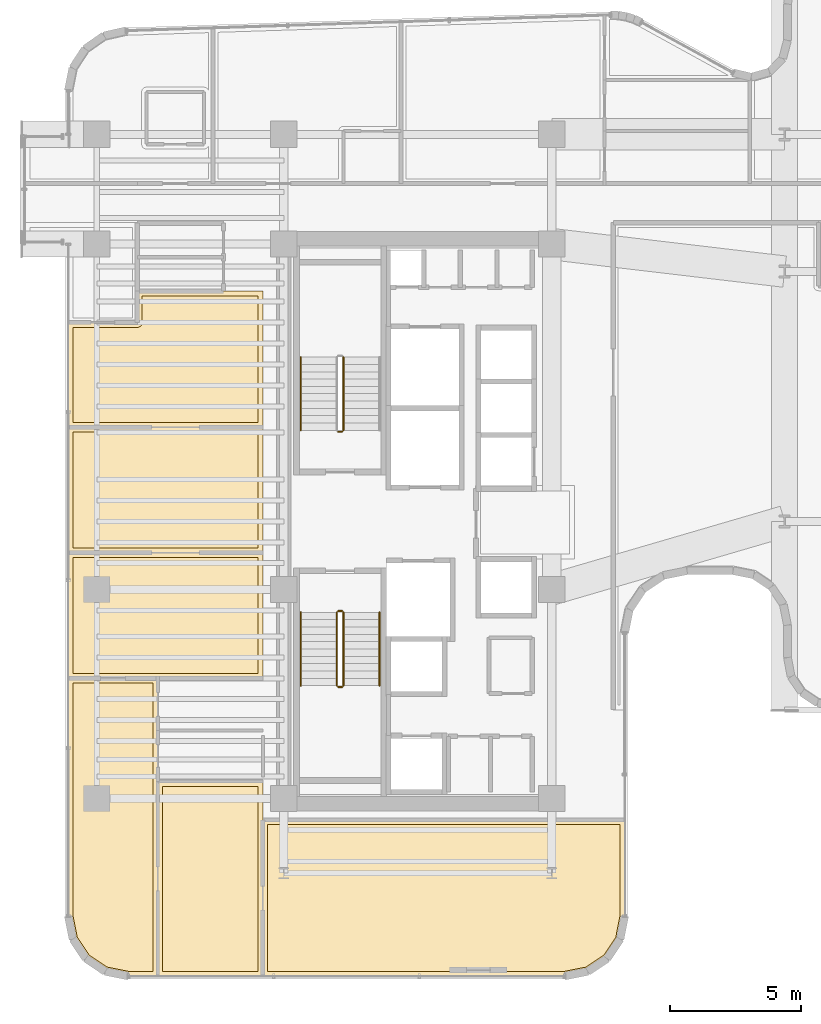
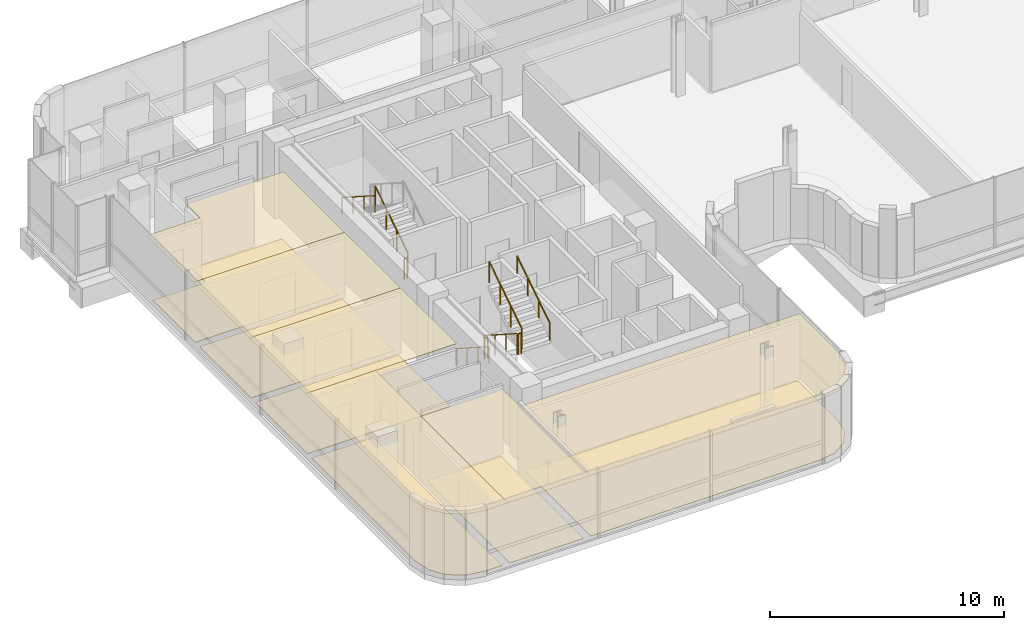
# One storey, part 33 of 39: 12 coverings, 9 railings.
"""IFC4 building model written with IfcOpenShell, lengths in metres."""

from ifc_helpers import new_model, si_unit, direction, frame, origin, origin_2d, place, context, subcontext, project, spatial, polyline, circle, outline, extrude, material, layer, layer_set, type_object, element, save


model = new_model("IFC4")

# Units and contexts
model_context = context("Model", 3, precision=1e-05, world=origin(), true_north=direction((0.0, 1.0)))
body_context = subcontext(model_context, "Body", "Model", "MODEL_VIEW")
ifc_project = project(units=[si_unit("LENGTHUNIT", "METRE"), si_unit("AREAUNIT", "SQUARE_METRE"), si_unit("VOLUMEUNIT", "CUBIC_METRE"), si_unit("PLANEANGLEUNIT", "RADIAN"), si_unit("MASSUNIT", "GRAM", prefix="KILO")], contexts=[model_context])

# Site, building, storey
site_placement = place(None, origin())
site = spatial("IfcSite", under=ifc_project, at=site_placement, CompositionType="ELEMENT")
building_placement = place(site_placement, origin())
building = spatial("IfcBuilding", under=site, at=building_placement, Name="Valdorenza Pilgrim Sanctuary Tower", CompositionType="ELEMENT")
storey_placement = place(building_placement, frame((0.0, 0.0, 184.449951171875)))
storey = spatial("IfcBuildingStorey", under=building, at=storey_placement, Name="L47", CompositionType="ELEMENT", Elevation=184.449951171875)

# Coverings
ifc_material_1 = material(Name="Micro-perforated acoustic mineral ceiling tile", Category="gypsum")
ifc_layer_1 = layer(ifc_material_1, 0.02490234375, Name="Micro-perforated acoustic mineral ceiling tile")
ifc_layer_set_1 = layer_set([ifc_layer_1], Name="Micro-perforated acoustic mineral ceiling tile")
covering_type_1 = type_object("IfcCoveringType", Name="COV-CLG-ACU", PredefinedType="CEILING", material=ifc_layer_set_1)
covering_1_placement = place(storey_placement, frame((0.0, 0.0, 3.330078125)))
element("IfcCovering", 1, at=covering_1_placement, inside=storey, type_object=covering_type_1, Name="L47 Sanctuary Apartment L47-CS1 Bedroom Acoustic Ceiling", PredefinedType="CEILING", context=body_context, shape_type="SweptSolid", body=[
    extrude(outline(polyline([(-27.482666015625, -9.949951171875), (-27.482421875, -9.948486328125), (-27.482421875, -9.947021484375), (-27.48193359375, -9.945556640625), (-27.4814453125, -9.9443359375), (-27.480712890625, -9.94287109375), (-27.47998046875, -9.941650390625), (-27.479248046875, -9.9404296875), (-27.478271484375, -9.939453125), (-27.47705078125, -9.9384765625), (-27.475830078125, -9.9375), (-27.474609375, -9.936767578125), (-27.473388671875, -9.93603515625), (-27.471923828125, -9.935546875), (-27.470458984375, -9.935302734375), (-27.468994140625, -9.93505859375), (-27.467529296875, -9.93505859375), (-23.449951171875, -9.93505859375), (-23.448486328125, -9.93505859375), (-23.447021484375, -9.935302734375), (-23.445556640625, -9.935546875), (-23.4443359375, -9.93603515625), (-23.44287109375, -9.936767578125), (-23.441650390625, -9.9375), (-23.4404296875, -9.9384765625), (-23.439453125, -9.939453125), (-23.4384765625, -9.9404296875), (-23.4375, -9.941650390625), (-23.436767578125, -9.94287109375), (-23.43603515625, -9.9443359375), (-23.435546875, -9.945556640625), (-23.435302734375, -9.947021484375), (-23.43505859375, -9.948486328125), (-23.43505859375, -9.949951171875), (-23.43505859375, -17.389892578125), (-23.43505859375, -17.3916015625), (-23.435302734375, -17.392822265625), (-23.435546875, -17.394287109375), (-23.43603515625, -17.395751953125), (-23.436767578125, -17.397216796875), (-23.4375, -17.398193359375), (-23.4384765625, -17.3994140625), (-23.439453125, -17.400634765625), (-23.4404296875, -17.401611328125), (-23.441650390625, -17.402587890625), (-23.44287109375, -17.4033203125), (-23.4443359375, -17.40380859375), (-23.445556640625, -17.404296875), (-23.447021484375, -17.40478515625), (-23.448486328125, -17.40478515625), (-23.449951171875, -17.405029296875), (-27.467529296875, -17.405029296875), (-27.468994140625, -17.40478515625), (-27.470458984375, -17.40478515625), (-27.471923828125, -17.404296875), (-27.473388671875, -17.40380859375), (-27.474609375, -17.4033203125), (-27.475830078125, -17.402587890625), (-27.47705078125, -17.401611328125), (-27.478271484375, -17.400634765625), (-27.479248046875, -17.3994140625), (-27.47998046875, -17.398193359375), (-27.480712890625, -17.397216796875), (-27.4814453125, -17.395751953125), (-27.48193359375, -17.394287109375), (-27.482421875, -17.392822265625), (-27.482421875, -17.3916015625), (-27.482666015625, -17.389892578125), (-27.482666015625, -9.949951171875)])), origin(), (0.0, 0.0, 1.0), 0.02490234375),
])
covering_2_placement = place(storey_placement, frame((0.0, 0.0, 3.330078125)))
element("IfcCovering", 2, at=covering_2_placement, inside=storey, type_object=covering_type_1, Name="L47 Sanctuary Apartment L47-CS1 Living Room Acoustic Ceiling", PredefinedType="CEILING", context=body_context, shape_type="SweptSolid", body=[
    extrude(outline(polyline([(-29.478515625, -17.228515625), (-29.479736328125, -17.22802734375), (-29.481201171875, -17.2275390625), (-29.482666015625, -17.226806640625), (-29.48388671875, -17.226318359375), (-30.22607421875, -16.730224609375), (-30.227294921875, -16.7294921875), (-30.228515625, -16.728515625), (-30.2294921875, -16.727294921875), (-30.230224609375, -16.72607421875), (-30.726318359375, -15.98388671875), (-30.726806640625, -15.982666015625), (-30.7275390625, -15.981201171875), (-30.72802734375, -15.979736328125), (-30.728515625, -15.978515625), (-30.90478515625, -15.092041015625), (-30.90478515625, -15.090576171875), (-30.905029296875, -15.089111328125), (-30.905029296875, -6.0), (-30.90478515625, -5.99853515625), (-30.90478515625, -5.9970703125), (-30.904296875, -5.99560546875), (-30.90380859375, -5.994384765625), (-30.9033203125, -5.992919921875), (-30.902587890625, -5.99169921875), (-30.901611328125, -5.990478515625), (-30.900634765625, -5.989501953125), (-30.8994140625, -5.98828125), (-30.898193359375, -5.987548828125), (-30.897216796875, -5.98681640625), (-30.895751953125, -5.986083984375), (-30.894287109375, -5.985595703125), (-30.892822265625, -5.9853515625), (-30.8916015625, -5.985107421875), (-30.889892578125, -5.985107421875), (-27.467529296875, -5.985107421875), (-27.466064453125, -5.985107421875), (-27.464599609375, -5.9853515625), (-27.463134765625, -5.985595703125), (-27.4619140625, -5.986083984375), (-27.46044921875, -5.98681640625), (-27.459228515625, -5.987548828125), (-27.4580078125, -5.98828125), (-27.45703125, -5.989501953125), (-27.4560546875, -5.990478515625), (-27.455078125, -5.99169921875), (-27.454345703125, -5.992919921875), (-27.45361328125, -5.994384765625), (-27.453125, -5.99560546875), (-27.452880859375, -5.9970703125), (-27.45263671875, -5.99853515625), (-27.45263671875, -6.0), (-27.45263671875, -9.947998046875), (-27.45263671875, -9.949462890625), (-27.452880859375, -9.950927734375), (-27.453369140625, -9.952392578125), (-27.453857421875, -9.953857421875), (-27.45458984375, -9.955322265625), (-27.45458984375, -9.95556640625), (-27.45458984375, -17.389892578125), (-27.45458984375, -17.3916015625), (-27.454833984375, -17.392822265625), (-27.455078125, -17.394287109375), (-27.455810546875, -17.395751953125), (-27.456298828125, -17.397216796875), (-27.45703125, -17.398193359375), (-27.4580078125, -17.3994140625), (-27.458984375, -17.400634765625), (-27.460205078125, -17.401611328125), (-27.461181640625, -17.402587890625), (-27.46240234375, -17.4033203125), (-27.4638671875, -17.40380859375), (-27.465087890625, -17.404296875), (-27.466796875, -17.40478515625), (-27.468017578125, -17.40478515625), (-27.469482421875, -17.405029296875), (-28.589111328125, -17.405029296875), (-28.590576171875, -17.40478515625), (-28.592041015625, -17.40478515625), (-29.478515625, -17.228515625)])), origin(), (0.0, 0.0, 1.0), 0.02490234375),
])
covering_3_placement = place(storey_placement, frame((0.0, 0.0, 3.330078125)))
element("IfcCovering", 3, at=covering_3_placement, inside=storey, type_object=covering_type_1, Name="L47 South Contemplation Salon L47 Acoustic Ceiling", PredefinedType="CEILING", context=body_context, shape_type="SweptSolid", body=[
    extrude(outline(polyline([(-27.469482421875, -6.012939453125), (-30.889892578125, -6.012939453125), (-30.8916015625, -6.012939453125), (-30.892822265625, -6.0126953125), (-30.894287109375, -6.012451171875), (-30.895751953125, -6.011962890625), (-30.897216796875, -6.01123046875), (-30.898193359375, -6.010498046875), (-30.8994140625, -6.009521484375), (-30.900634765625, -6.008544921875), (-30.901611328125, -6.007568359375), (-30.902587890625, -6.00634765625), (-30.9033203125, -6.005126953125), (-30.90380859375, -6.003662109375), (-30.904296875, -6.00244140625), (-30.90478515625, -6.0009765625), (-30.90478515625, -5.99951171875), (-30.905029296875, -5.998046875), (-30.905029296875, -1.199951171875), (-30.90478515625, -1.198486328125), (-30.90478515625, -1.197021484375), (-30.904296875, -1.195556640625), (-30.90380859375, -1.1943359375), (-30.9033203125, -1.19287109375), (-30.902587890625, -1.191650390625), (-30.901611328125, -1.1904296875), (-30.900634765625, -1.189453125), (-30.8994140625, -1.1884765625), (-30.898193359375, -1.1875), (-30.897216796875, -1.186767578125), (-30.895751953125, -1.18603515625), (-30.894287109375, -1.185546875), (-30.892822265625, -1.185302734375), (-30.8916015625, -1.18505859375), (-30.889892578125, -1.18505859375), (-23.449951171875, -1.18505859375), (-23.448486328125, -1.18505859375), (-23.447021484375, -1.185302734375), (-23.445556640625, -1.185546875), (-23.4443359375, -1.18603515625), (-23.44287109375, -1.186767578125), (-23.441650390625, -1.1875), (-23.4404296875, -1.1884765625), (-23.439453125, -1.189453125), (-23.4384765625, -1.1904296875), (-23.4375, -1.191650390625), (-23.436767578125, -1.19287109375), (-23.43603515625, -1.1943359375), (-23.435546875, -1.195556640625), (-23.435302734375, -1.197021484375), (-23.43505859375, -1.198486328125), (-23.43505859375, -1.199951171875), (-23.43505859375, -5.998046875), (-23.43505859375, -5.99951171875), (-23.435302734375, -6.0009765625), (-23.435546875, -6.00244140625), (-23.43603515625, -6.003662109375), (-23.436767578125, -6.005126953125), (-23.4375, -6.00634765625), (-23.4384765625, -6.007568359375), (-23.439453125, -6.008544921875), (-23.4404296875, -6.009521484375), (-23.441650390625, -6.010498046875), (-23.44287109375, -6.01123046875), (-23.4443359375, -6.011962890625), (-23.445556640625, -6.012451171875), (-23.447021484375, -6.0126953125), (-23.448486328125, -6.012939453125), (-23.449951171875, -6.012939453125), (-27.4638671875, -6.012939453125), (-27.464599609375, -6.01318359375), (-27.466064453125, -6.01318359375), (-27.467529296875, -6.01318359375), (-27.468994140625, -6.01318359375), (-27.469482421875, -6.012939453125)])), origin(), (0.0, 0.0, 1.0), 0.02490234375),
])
covering_4_placement = place(storey_placement, frame((0.0, 0.0, 3.330078125)))
element("IfcCovering", 4, at=covering_4_placement, inside=storey, type_object=covering_type_1, Name="L47 Pilgrim Reading Lounge L47 Acoustic Ceiling", PredefinedType="CEILING", context=body_context, shape_type="SweptSolid", body=[
    extrude(outline(polyline([(-23.43505859375, -1.197998046875), (-23.43505859375, -1.199462890625), (-23.435302734375, -1.200927734375), (-23.435546875, -1.202392578125), (-23.43603515625, -1.20361328125), (-23.436767578125, -1.205078125), (-23.4375, -1.206298828125), (-23.4384765625, -1.20751953125), (-23.439453125, -1.20849609375), (-23.4404296875, -1.209716796875), (-23.441650390625, -1.21044921875), (-23.44287109375, -1.211181640625), (-23.4443359375, -1.2119140625), (-23.445556640625, -1.21240234375), (-23.447021484375, -1.212646484375), (-23.448486328125, -1.212890625), (-23.449951171875, -1.212890625), (-30.889892578125, -1.212890625), (-30.8916015625, -1.212890625), (-30.892822265625, -1.212646484375), (-30.894287109375, -1.21240234375), (-30.895751953125, -1.2119140625), (-30.897216796875, -1.211181640625), (-30.898193359375, -1.21044921875), (-30.8994140625, -1.209716796875), (-30.900634765625, -1.20849609375), (-30.901611328125, -1.20751953125), (-30.902587890625, -1.206298828125), (-30.9033203125, -1.205078125), (-30.90380859375, -1.20361328125), (-30.904296875, -1.202392578125), (-30.90478515625, -1.200927734375), (-30.90478515625, -1.199462890625), (-30.905029296875, -1.197998046875), (-30.905029296875, 3.60009765625), (-30.90478515625, 3.6015625), (-30.90478515625, 3.602783203125), (-30.904296875, 3.6044921875), (-30.90380859375, 3.605712890625), (-30.9033203125, 3.607177734375), (-30.902587890625, 3.6083984375), (-30.901611328125, 3.609619140625), (-30.900634765625, 3.610595703125), (-30.8994140625, 3.611572265625), (-30.898193359375, 3.612548828125), (-30.897216796875, 3.61328125), (-30.895751953125, 3.614013671875), (-30.894287109375, 3.614501953125), (-30.892822265625, 3.61474609375), (-30.8916015625, 3.614990234375), (-30.889892578125, 3.614990234375), (-23.449951171875, 3.614990234375), (-23.448486328125, 3.614990234375), (-23.447021484375, 3.61474609375), (-23.445556640625, 3.614501953125), (-23.4443359375, 3.614013671875), (-23.44287109375, 3.61328125), (-23.441650390625, 3.612548828125), (-23.4404296875, 3.611572265625), (-23.439453125, 3.610595703125), (-23.4384765625, 3.609619140625), (-23.4375, 3.6083984375), (-23.436767578125, 3.607177734375), (-23.43603515625, 3.605712890625), (-23.435546875, 3.6044921875), (-23.435302734375, 3.602783203125), (-23.43505859375, 3.6015625), (-23.43505859375, 3.60009765625), (-23.43505859375, -1.197998046875)])), origin(), (0.0, 0.0, 1.0), 0.02490234375),
])
covering_5_placement = place(storey_placement, frame((0.0, 0.0, 3.330078125)))
element("IfcCovering", 5, at=covering_5_placement, inside=storey, type_object=covering_type_1, Name="L47 North Contemplation Salon L47 Acoustic Ceiling", PredefinedType="CEILING", context=body_context, shape_type="SweptSolid", body=[
    extrude(outline(polyline([(-28.262939453125, 7.613037109375), (-28.262939453125, 8.798095703125), (-28.262939453125, 8.799560546875), (-28.2626953125, 8.80078125), (-28.262451171875, 8.802490234375), (-28.261962890625, 8.8037109375), (-28.26123046875, 8.80517578125), (-28.260498046875, 8.806396484375), (-28.259521484375, 8.8076171875), (-28.258544921875, 8.80859375), (-28.257568359375, 8.8095703125), (-28.25634765625, 8.810546875), (-28.255126953125, 8.811279296875), (-28.253662109375, 8.81201171875), (-28.25244140625, 8.8125), (-28.2509765625, 8.812744140625), (-28.24951171875, 8.81298828125), (-28.248046875, 8.81298828125), (-24.955322265625, 8.81298828125), (-24.954833984375, 8.813232421875), (-24.95361328125, 8.81396484375), (-24.9521484375, 8.814453125), (-24.95068359375, 8.814697265625), (-24.949462890625, 8.81494140625), (-24.947998046875, 8.81494140625), (-23.449951171875, 8.81494140625), (-23.448486328125, 8.81494140625), (-23.447021484375, 8.814697265625), (-23.445556640625, 8.814453125), (-23.4443359375, 8.81396484375), (-23.44287109375, 8.813232421875), (-23.441650390625, 8.8125), (-23.4404296875, 8.8115234375), (-23.439453125, 8.810546875), (-23.4384765625, 8.8095703125), (-23.4375, 8.808349609375), (-23.436767578125, 8.80712890625), (-23.43603515625, 8.8056640625), (-23.435546875, 8.804443359375), (-23.435302734375, 8.802978515625), (-23.43505859375, 8.801513671875), (-23.43505859375, 8.800048828125), (-23.43505859375, 3.60205078125), (-23.43505859375, 3.6005859375), (-23.435302734375, 3.59912109375), (-23.435546875, 3.59765625), (-23.43603515625, 3.59619140625), (-23.436767578125, 3.594970703125), (-23.4375, 3.59375), (-23.4384765625, 3.592529296875), (-23.439453125, 3.59130859375), (-23.4404296875, 3.59033203125), (-23.441650390625, 3.589599609375), (-23.44287109375, 3.5888671875), (-23.4443359375, 3.588134765625), (-23.445556640625, 3.587646484375), (-23.447021484375, 3.58740234375), (-23.448486328125, 3.587158203125), (-23.449951171875, 3.5869140625), (-30.889892578125, 3.5869140625), (-30.8916015625, 3.587158203125), (-30.892822265625, 3.58740234375), (-30.894287109375, 3.587646484375), (-30.895751953125, 3.588134765625), (-30.897216796875, 3.5888671875), (-30.898193359375, 3.589599609375), (-30.8994140625, 3.59033203125), (-30.900634765625, 3.59130859375), (-30.901611328125, 3.592529296875), (-30.902587890625, 3.59375), (-30.9033203125, 3.594970703125), (-30.90380859375, 3.59619140625), (-30.904296875, 3.59765625), (-30.90478515625, 3.59912109375), (-30.90478515625, 3.6005859375), (-30.905029296875, 3.60205078125), (-30.905029296875, 7.597900390625), (-30.90478515625, 7.599609375), (-30.90478515625, 7.600830078125), (-30.904296875, 7.602294921875), (-30.90380859375, 7.603759765625), (-30.9033203125, 7.60498046875), (-30.902587890625, 7.606201171875), (-30.901611328125, 7.607421875), (-30.900634765625, 7.608642578125), (-30.8994140625, 7.609619140625), (-30.898193359375, 7.610595703125), (-30.897216796875, 7.611083984375), (-30.895751953125, 7.61181640625), (-30.894287109375, 7.6123046875), (-30.892822265625, 7.61279296875), (-30.8916015625, 7.61279296875), (-30.889892578125, 7.613037109375), (-28.262939453125, 7.613037109375)])), origin(), (0.0, 0.0, 1.0), 0.02490234375),
])
covering_6_placement = place(storey_placement, frame((0.0, 0.0, 3.330078125)))
element("IfcCovering", 6, at=covering_6_placement, inside=storey, type_object=covering_type_1, Name="L47 South Panoramic Viewing Salon L47 Acoustic Ceiling", PredefinedType="CEILING", context=body_context, shape_type="SweptSolid", body=[
    extrude(outline(polyline([(-9.610107421875, -11.405029296875), (-9.6083984375, -11.405029296875), (-9.607177734375, -11.4052734375), (-9.605712890625, -11.405517578125), (-9.604248046875, -11.406005859375), (-9.602783203125, -11.40673828125), (-9.601806640625, -11.407470703125), (-9.6005859375, -11.408447265625), (-9.599365234375, -11.409423828125), (-9.598388671875, -11.410400390625), (-9.597412109375, -11.41162109375), (-9.5966796875, -11.412841796875), (-9.59619140625, -11.414306640625), (-9.595703125, -11.41552734375), (-9.59521484375, -11.4169921875), (-9.59521484375, -11.41845703125), (-9.594970703125, -11.419921875), (-9.594970703125, -15.089111328125), (-9.59521484375, -15.090576171875), (-9.59521484375, -15.092041015625), (-9.771484375, -15.978515625), (-9.77197265625, -15.979736328125), (-9.7724609375, -15.981201171875), (-9.773193359375, -15.982666015625), (-9.773681640625, -15.98388671875), (-10.269775390625, -16.72607421875), (-10.2705078125, -16.727294921875), (-10.271484375, -16.728515625), (-10.272705078125, -16.7294921875), (-10.27392578125, -16.730224609375), (-11.01611328125, -17.226318359375), (-11.017333984375, -17.226806640625), (-11.018798828125, -17.2275390625), (-11.020263671875, -17.22802734375), (-11.021484375, -17.228515625), (-11.907958984375, -17.40478515625), (-11.909423828125, -17.40478515625), (-11.910888671875, -17.405029296875), (-23.447998046875, -17.405029296875), (-23.449462890625, -17.40478515625), (-23.450927734375, -17.40478515625), (-23.452392578125, -17.404296875), (-23.45361328125, -17.40380859375), (-23.455078125, -17.4033203125), (-23.456298828125, -17.402587890625), (-23.45751953125, -17.401611328125), (-23.45849609375, -17.400634765625), (-23.459716796875, -17.3994140625), (-23.46044921875, -17.398193359375), (-23.461181640625, -17.397216796875), (-23.4619140625, -17.395751953125), (-23.46240234375, -17.394287109375), (-23.462646484375, -17.392822265625), (-23.462890625, -17.3916015625), (-23.462890625, -17.389892578125), (-23.462890625, -11.419921875), (-23.462890625, -11.41845703125), (-23.462646484375, -11.4169921875), (-23.46240234375, -11.41552734375), (-23.4619140625, -11.414306640625), (-23.461181640625, -11.412841796875), (-23.46044921875, -11.41162109375), (-23.459716796875, -11.410400390625), (-23.45849609375, -11.409423828125), (-23.45751953125, -11.408447265625), (-23.456298828125, -11.407470703125), (-23.455078125, -11.40673828125), (-23.45361328125, -11.406005859375), (-23.452392578125, -11.405517578125), (-23.450927734375, -11.4052734375), (-23.449462890625, -11.405029296875), (-23.447998046875, -11.405029296875), (-9.610107421875, -11.405029296875)])), origin(), (0.0, 0.0, 1.0), 0.02490234375),
])
ifc_material_2 = material(Name="Engineered European oak timber flooring", Category="wood")
ifc_layer_2 = layer(ifc_material_2, 0.02197265625, Name="Engineered European oak timber flooring")
ifc_layer_set_2 = layer_set([ifc_layer_2], Name="Engineered European oak timber flooring")
covering_type_2 = type_object("IfcCoveringType", Name="COV-FLR-OAK", PredefinedType="FLOORING", material=ifc_layer_set_2)
covering_7_placement = place(storey_placement, origin())
element("IfcCovering", 7, at=covering_7_placement, inside=storey, type_object=covering_type_2, Name="L47 Sanctuary Apartment L47-CS1 Bedroom Flooring", PredefinedType="FLOORING", context=body_context, shape_type="SweptSolid", body=[
    extrude(outline(polyline([(-27.28759765625, -10.1298828125), (-23.6298828125, -10.1298828125), (-23.6298828125, -17.2099609375), (-27.28759765625, -17.2099609375), (-27.28759765625, -10.1298828125)])), origin(), (0.0, 0.0, 1.0), 0.025146484375),
])
covering_8_placement = place(storey_placement, origin())
element("IfcCovering", 8, at=covering_8_placement, inside=storey, type_object=covering_type_2, Name="L47 Sanctuary Apartment L47-CS1 Living Room Flooring", PredefinedType="FLOORING", context=body_context, shape_type="SweptSolid", body=[
    extrude(outline(polyline([(-29.4052734375, -17.044189453125), (-30.087890625, -16.587890625), (-30.544189453125, -15.9052734375), (-30.7099609375, -15.0712890625), (-30.7099609375, -6.179931640625), (-27.647705078125, -6.179931640625), (-27.647705078125, -9.923095703125), (-27.647705078125, -9.923095703125), (-27.647705078125, -9.92333984375), (-27.6494140625, -9.94091796875), (-27.6494140625, -9.941162109375), (-27.649658203125, -9.949951171875), (-27.649658203125, -17.2099609375), (-28.5712890625, -17.2099609375), (-29.4052734375, -17.044189453125)])), origin(), (0.0, 0.0, 1.0), 0.025146484375),
])
ifc_material_3 = material(Name="Honed travertine stone flooring", Category="masonry")
ifc_layer_3 = layer(ifc_material_3, 0.030029296875, Name="Honed travertine stone flooring")
ifc_layer_set_3 = layer_set([ifc_layer_3], Name="Honed travertine stone flooring")
covering_type_3 = type_object("IfcCoveringType", Name="COV-FLR-TRV", PredefinedType="FLOORING", material=ifc_layer_set_3)
covering_9_placement = place(storey_placement, origin())
element("IfcCovering", 9, at=covering_9_placement, inside=storey, type_object=covering_type_3, Name="L47 South Contemplation Salon L47 Flooring", PredefinedType="FLOORING", context=body_context, shape_type="SweptSolid", body=[
    extrude(outline(polyline([(-27.46728515625, -5.818115234375), (-27.467529296875, -5.818115234375), (-30.7099609375, -5.818115234375), (-30.7099609375, -1.3798828125), (-23.6298828125, -1.3798828125), (-23.6298828125, -5.818115234375), (-27.465576171875, -5.818115234375), (-27.466552734375, -5.818115234375), (-27.46728515625, -5.818115234375)])), origin(), (0.0, 0.0, 1.0), 0.025146484375),
])
covering_10_placement = place(storey_placement, origin())
element("IfcCovering", 10, at=covering_10_placement, inside=storey, type_object=covering_type_3, Name="L47 Pilgrim Reading Lounge L47 Flooring", PredefinedType="FLOORING", context=body_context, shape_type="SweptSolid", body=[
    extrude(outline(polyline([(-23.6298828125, -1.01806640625), (-30.7099609375, -1.01806640625), (-30.7099609375, 3.419921875), (-23.6298828125, 3.419921875), (-23.6298828125, -1.01806640625)])), origin(), (0.0, 0.0, 1.0), 0.025146484375),
])
covering_11_placement = place(storey_placement, origin())
element("IfcCovering", 11, at=covering_11_placement, inside=storey, type_object=covering_type_3, Name="L47 North Contemplation Salon L47 Flooring", PredefinedType="FLOORING", context=body_context, shape_type="SweptSolid", body=[
    extrude(outline(polyline([(-23.6298828125, 8.619873046875), (-23.6298828125, 3.781982421875), (-30.7099609375, 3.781982421875), (-30.7099609375, 7.41796875), (-28.25, 7.41796875), (-28.2412109375, 7.418212890625), (-28.240966796875, 7.418212890625), (-28.223388671875, 7.419921875), (-28.22314453125, 7.419921875), (-28.205810546875, 7.42333984375), (-28.205810546875, 7.423583984375), (-28.188720703125, 7.4287109375), (-28.188720703125, 7.4287109375), (-28.17236328125, 7.435302734375), (-28.172119140625, 7.435546875), (-28.156494140625, 7.44384765625), (-28.156494140625, 7.44384765625), (-28.1416015625, 7.453857421875), (-28.1416015625, 7.453857421875), (-28.1279296875, 7.465087890625), (-28.127685546875, 7.465087890625), (-28.115234375, 7.477783203125), (-28.114990234375, 7.477783203125), (-28.10400390625, 7.491455078125), (-28.103759765625, 7.49169921875), (-28.093994140625, 7.50634765625), (-28.09375, 7.506591796875), (-28.08544921875, 7.522216796875), (-28.08544921875, 7.522216796875), (-28.07861328125, 7.53857421875), (-28.07861328125, 7.538818359375), (-28.073486328125, 7.5556640625), (-28.073486328125, 7.555908203125), (-28.070068359375, 7.5732421875), (-28.070068359375, 7.573486328125), (-28.068115234375, 7.591064453125), (-28.068115234375, 7.59130859375), (-28.068115234375, 7.60009765625), (-28.068115234375, 8.617919921875), (-24.949951171875, 8.617919921875), (-24.94970703125, 8.617919921875), (-23.6298828125, 8.619873046875)])), origin(), (0.0, 0.0, 1.0), 0.025146484375),
])
covering_12_placement = place(storey_placement, origin())
element("IfcCovering", 12, at=covering_12_placement, inside=storey, type_object=covering_type_3, Name="L47 South Panoramic Viewing Salon L47 Flooring", PredefinedType="FLOORING", context=body_context, shape_type="SweptSolid", body=[
    extrude(outline(polyline([(-9.7900390625, -11.60009765625), (-9.7900390625, -15.0712890625), (-9.955810546875, -15.9052734375), (-10.412109375, -16.587890625), (-11.0947265625, -17.044189453125), (-11.9287109375, -17.2099609375), (-23.26806640625, -17.2099609375), (-23.26806640625, -11.60009765625), (-9.7900390625, -11.60009765625)])), origin(), (0.0, 0.0, 1.0), 0.025146484375),
])

# Railings
ifc_material_4 = material(Name="Stainless steel Grade 316", Category="steel")
railing_type_1 = type_object("IfcRailingType", Name="RLG-GRD-1120", PredefinedType="GUARDRAIL", material=ifc_material_4)
railing_1_placement = place(storey_placement, frame((-20.3701171875, 3.47998046875, 0.1796875)))
element("IfcRailing", 13, at=railing_1_placement, inside=storey, type_object=railing_type_1, Name="L47 ST-A1 stair guard 1", PredefinedType="GUARDRAIL", context=body_context, shape_type="SweptSolid", body=[
    extrude(circle(Radius=0.02392578125, at=origin_2d()), frame((0.0, 0.0, 1.076171875), z_axis=(0.0, 0.841809871826, 0.539774156196), x_axis=(-1.0, 0.0, 0.0)), (0.0, 0.0, 1.0), 3.326171875),
    extrude(circle(Radius=0.02099609375, at=origin_2d()), origin(), (0.0, 0.0, 1.0), 1.052001953125),
    extrude(circle(Radius=0.02099609375, at=origin_2d()), frame((0.0, 0.933349609375, 0.598388671875)), (0.0, 0.0, 1.0), 1.052001953125),
    extrude(circle(Radius=0.02099609375, at=origin_2d()), frame((0.0, 1.86669921875, 1.197021484375)), (0.0, 0.0, 1.0), 1.052001953125),
    extrude(circle(Radius=0.02099609375, at=origin_2d()), frame((0.0, 2.800048828125, 1.79541015625)), (0.0, 0.0, 1.0), 1.052001953125),
])
railing_2_placement = place(storey_placement, frame((-20.419921875, 3.429931640625, 0.0)))
element("IfcRailing", 14, at=railing_2_placement, inside=storey, type_object=railing_type_1, Name="L47 ST-A1 stair guard 4", PredefinedType="GUARDRAIL", context=body_context, shape_type="SweptSolid", body=[
    extrude(circle(Radius=0.02392578125, at=origin_2d()), frame((0.0, 0.0, 1.076171875), z_axis=(-1.0, 0.0, 0.0), x_axis=(0.0, -1.0, 0.0)), (0.0, 0.0, 1.0), 0.150146484375),
    extrude(circle(Radius=0.02099609375, at=origin_2d()), origin(), (0.0, 0.0, 1.0), 1.052001953125),
    extrude(circle(Radius=0.02099609375, at=origin_2d()), frame((-0.150146484375, 0.0, 0.0)), (0.0, 0.0, 1.0), 1.052001953125),
])
railing_3_placement = place(storey_placement, frame((-20.6201171875, -3.47998046875, 0.1796875)))
element("IfcRailing", 15, at=railing_3_placement, inside=storey, type_object=railing_type_1, Name="L47 ST-A2 stair guard 1", PredefinedType="GUARDRAIL", context=body_context, shape_type="SweptSolid", body=[
    extrude(circle(Radius=0.02392578125, at=origin_2d()), frame((0.0, 0.0, 1.076171875), z_axis=(0.0, -0.841809871826, 0.539774156196), x_axis=(1.0, 0.0, 0.0)), (0.0, 0.0, 1.0), 3.326171875),
    extrude(circle(Radius=0.02099609375, at=origin_2d()), origin(), (0.0, 0.0, 1.0), 1.052001953125),
    extrude(circle(Radius=0.02099609375, at=origin_2d()), frame((0.0, -0.933349609375, 0.598388671875)), (0.0, 0.0, 1.0), 1.052001953125),
    extrude(circle(Radius=0.02099609375, at=origin_2d()), frame((0.0, -1.86669921875, 1.197021484375)), (0.0, 0.0, 1.0), 1.052001953125),
    extrude(circle(Radius=0.02099609375, at=origin_2d()), frame((0.0, -2.800048828125, 1.79541015625)), (0.0, 0.0, 1.0), 1.052001953125),
])
railing_4_placement = place(storey_placement, frame((-20.570068359375, -6.330078125, 1.97509765625)))
element("IfcRailing", 16, at=railing_4_placement, inside=storey, type_object=railing_type_1, Name="L47 ST-A2 stair guard 2", PredefinedType="GUARDRAIL", context=body_context, shape_type="SweptSolid", body=[
    extrude(circle(Radius=0.02392578125, at=origin_2d()), frame((0.0, 0.0, 1.076171875), z_axis=(1.0, 0.0, 0.0), x_axis=(0.0, 1.0, 0.0)), (0.0, 0.0, 1.0), 0.150146484375),
    extrude(circle(Radius=0.02099609375, at=origin_2d()), origin(), (0.0, 0.0, 1.0), 1.052001953125),
    extrude(circle(Radius=0.02099609375, at=origin_2d()), frame((0.150146484375, 0.0, 0.0)), (0.0, 0.0, 1.0), 1.052001953125),
])
railing_5_placement = place(storey_placement, frame((-20.3701171875, -6.280029296875, 2.154541015625)))
element("IfcRailing", 17, at=railing_5_placement, inside=storey, type_object=railing_type_1, Name="L47 ST-A2 stair guard 3", PredefinedType="GUARDRAIL", context=body_context, shape_type="SweptSolid", body=[
    extrude(circle(Radius=0.02392578125, at=origin_2d()), frame((0.0, 0.0, 1.076171875), z_axis=(0.0, 0.841809871826, 0.539774156196), x_axis=(-1.0, 0.0, 0.0)), (0.0, 0.0, 1.0), 3.326171875),
    extrude(circle(Radius=0.02099609375, at=origin_2d()), origin(), (0.0, 0.0, 1.0), 1.052001953125),
    extrude(circle(Radius=0.02099609375, at=origin_2d()), frame((0.0, 0.933349609375, 0.598388671875)), (0.0, 0.0, 1.0), 1.052001953125),
    extrude(circle(Radius=0.02099609375, at=origin_2d()), frame((0.0, 1.86669921875, 1.197021484375)), (0.0, 0.0, 1.0), 1.052001953125),
    extrude(circle(Radius=0.02099609375, at=origin_2d()), frame((0.0, 2.800048828125, 1.79541015625)), (0.0, 0.0, 1.0), 1.052001953125),
])
railing_6_placement = place(storey_placement, frame((-20.570068359375, -3.429931640625, 0.0)))
element("IfcRailing", 18, at=railing_6_placement, inside=storey, type_object=railing_type_1, Name="L47 ST-A2 stair guard 4", PredefinedType="GUARDRAIL", context=body_context, shape_type="SweptSolid", body=[
    extrude(circle(Radius=0.02392578125, at=origin_2d()), frame((0.0, 0.0, 1.076171875), z_axis=(1.0, 0.0, 0.0), x_axis=(0.0, 1.0, 0.0)), (0.0, 0.0, 1.0), 0.150146484375),
    extrude(circle(Radius=0.02099609375, at=origin_2d()), origin(), (0.0, 0.0, 1.0), 1.052001953125),
    extrude(circle(Radius=0.02099609375, at=origin_2d()), frame((0.150146484375, 0.0, 0.0)), (0.0, 0.0, 1.0), 1.052001953125),
])
ifc_material_5 = material(Name="Brushed stainless steel Grade 316", Category="steel")
railing_type_2 = type_object("IfcRailingType", Name="RLG-HND-920", PredefinedType="HANDRAIL", material=ifc_material_5)
for number, where, name in (
    (19, (-22.0, 6.280029296875, 2.154541015625), "L47 ST-A1 stair handrail 2"),
    (20, (-22.0, -3.47998046875, 0.1796875), "L47 ST-A2 stair handrail 1"),
):
    element("IfcRailing", number, at=place(storey_placement, frame(where)), inside=storey, type_object=railing_type_2, Name=name, PredefinedType="HANDRAIL", context=body_context, shape_type="SweptSolid", body=[
        extrude(circle(Radius=0.02392578125, at=origin_2d()), frame((0.0, 0.0, 0.8759765625), z_axis=(0.0, -0.841809871826, 0.539774156196), x_axis=(1.0, 0.0, 0.0)), (0.0, 0.0, 1.0), 3.326171875),
        extrude(circle(Radius=0.02099609375, at=origin_2d()), origin(), (0.0, 0.0, 1.0), 0.851806640625),
        extrude(circle(Radius=0.02099609375, at=origin_2d()), frame((0.0, -0.933349609375, 0.598388671875)), (0.0, 0.0, 1.0), 0.851806640625),
        extrude(circle(Radius=0.02099609375, at=origin_2d()), frame((0.0, -1.86669921875, 1.197021484375)), (0.0, 0.0, 1.0), 0.851806640625),
        extrude(circle(Radius=0.02099609375, at=origin_2d()), frame((0.0, -2.800048828125, 1.79541015625)), (0.0, 0.0, 1.0), 0.851806640625),
    ])
railing_7_placement = place(storey_placement, frame((-18.989990234375, -6.280029296875, 2.154541015625)))
element("IfcRailing", 21, at=railing_7_placement, inside=storey, type_object=railing_type_2, Name="L47 ST-A2 stair handrail 2", PredefinedType="HANDRAIL", context=body_context, shape_type="SweptSolid", body=[
    extrude(circle(Radius=0.02392578125, at=origin_2d()), frame((0.0, 0.0, 0.8759765625), z_axis=(0.0, 0.841809871826, 0.539774156196), x_axis=(-1.0, 0.0, 0.0)), (0.0, 0.0, 1.0), 3.326171875),
    extrude(circle(Radius=0.02099609375, at=origin_2d()), origin(), (0.0, 0.0, 1.0), 0.851806640625),
    extrude(circle(Radius=0.02099609375, at=origin_2d()), frame((0.0, 0.933349609375, 0.598388671875)), (0.0, 0.0, 1.0), 0.851806640625),
    extrude(circle(Radius=0.02099609375, at=origin_2d()), frame((0.0, 1.86669921875, 1.197021484375)), (0.0, 0.0, 1.0), 0.851806640625),
    extrude(circle(Radius=0.02099609375, at=origin_2d()), frame((0.0, 2.800048828125, 1.79541015625)), (0.0, 0.0, 1.0), 0.851806640625),
])

save(model, "model.ifc")
